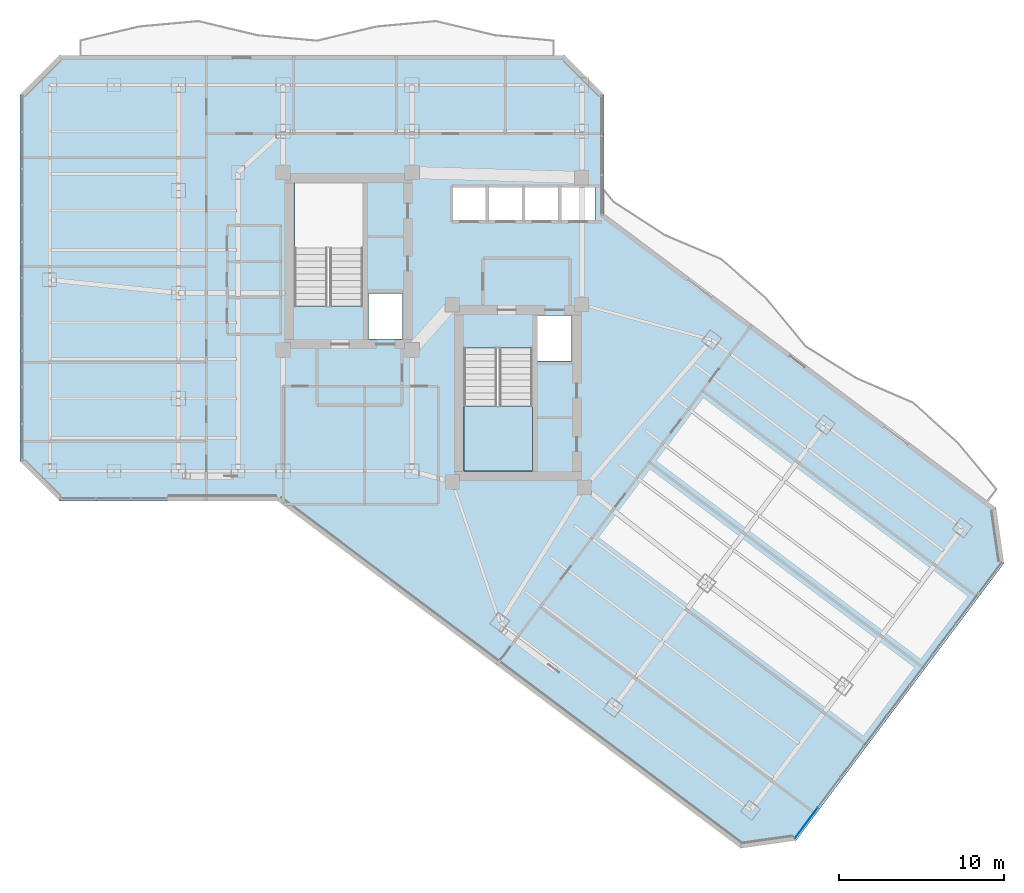
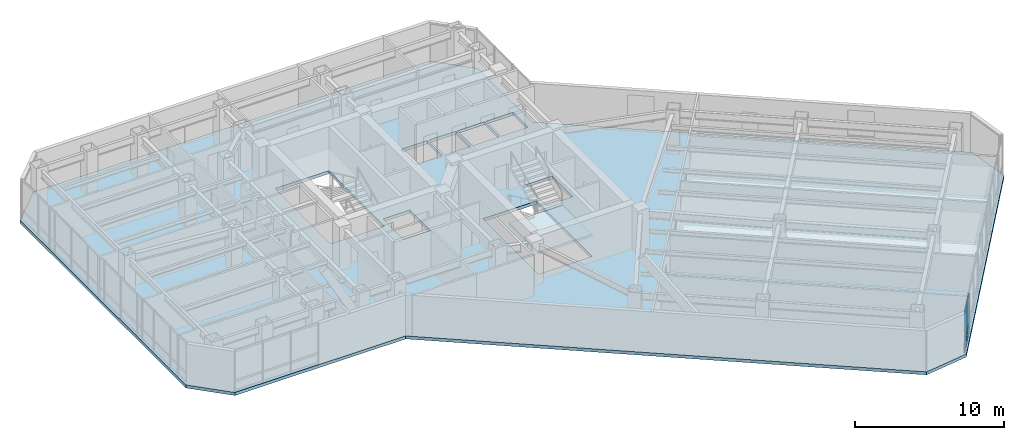
# One storey, part 21 of 31: 2 plates, 2 slabs, 2 elements without a shape of their own.
"""IFC4 building model written with IfcOpenShell, lengths in metres."""

import ifcopenshell
import ifcopenshell.guid

model = None  # the IFC model being written
_history = None  # IfcOwnerHistory: only IFC2X3 demands one
_inside = {}  # id of a spatial element -> (the spatial element, [elements in it])
_under = {}  # id of a project, library or spatial element -> (it, [spatial elements below it])
_declared = {}  # id of a project -> (the project, [libraries it declares])
_typed = {}  # id of a type object -> (the type object, [elements of that type])
_made_of = {}  # id of a material, layer set ... -> (it, [elements and type objects made of it])


def new_model(schema):
    """Start an empty IFC model of exactly this schema.

    Asked for "IFC4X3", IfcOpenShell would pick the latest addendum, in which some entities
    have other attributes; the version numbers below select the first issue.
    IFC2X3 requires an IfcOwnerHistory on every rooted entity: one is made here for all.
    """
    global model, _history
    if schema == "IFC4X3":
        model = ifcopenshell.file(schema_version=(4, 3, 0, 0))
    else:
        model = ifcopenshell.file(schema=schema)
    _inside.clear()
    _under.clear()
    _declared.clear()
    _typed.clear()
    _made_of.clear()
    _history = None
    if model.schema == "IFC2X3":
        org = make("IfcOrganization", Name="unknown")
        user = make(
            "IfcPersonAndOrganization",
            ThePerson=make("IfcPerson", FamilyName="unknown"),
            TheOrganization=org,
        )
        app = make(
            "IfcApplication",
            ApplicationDeveloper=org,
            Version="unknown",
            ApplicationFullName="unknown",
            ApplicationIdentifier="unknown",
        )
        _history = make(
            "IfcOwnerHistory",
            OwningUser=user,
            OwningApplication=app,
            ChangeAction="ADDED",
            CreationDate=0,
        )
    return model


def make(cls, **values):
    """One entity of the class cls with the attributes given. An attribute that is None is left unset."""
    return model.create_entity(
        cls, **{name: value for name, value in values.items() if value is not None}
    )


def rooted(cls, **values):
    """An entity with a GlobalId (a new one), such as an element, a storey or a relation."""
    return make(cls, GlobalId=ifcopenshell.guid.new(), OwnerHistory=_history, **values)


def si_unit(unit_type, name, prefix=None):
    """IfcSIUnit, for example si_unit("LENGTHUNIT", "METRE", prefix="MILLI")."""
    return make("IfcSIUnit", UnitType=unit_type, Prefix=prefix, Name=name)


def assignment(units):
    """IfcUnitAssignment: the units of a project."""
    return None if units is None else make("IfcUnitAssignment", Units=units)


def point(xyz):
    """IfcCartesianPoint."""
    return None if xyz is None else make("IfcCartesianPoint", Coordinates=xyz)


def direction(xyz):
    """IfcDirection."""
    return None if xyz is None else make("IfcDirection", DirectionRatios=xyz)


def frame(location, z_axis=None, x_axis=None):
    """IfcAxis2Placement3D, a coordinate frame: its origin and axes. An axis left out is left unset."""
    return make(
        "IfcAxis2Placement3D",
        Location=point(location),
        Axis=direction(z_axis),
        RefDirection=direction(x_axis),
    )


def frame_2d(location, x_axis=None):
    """IfcAxis2Placement2D, a coordinate frame in the plane: its origin and x axis."""
    return make(
        "IfcAxis2Placement2D", Location=point(location), RefDirection=direction(x_axis)
    )


def origin():
    """The frame at (0, 0, 0) with its axes left unset."""
    return frame((0.0, 0.0, 0.0))


def origin_2d():
    """The frame at (0, 0) in the plane with its x axis left unset."""
    return frame_2d((0.0, 0.0))


def place(relative_to, where):
    """IfcLocalPlacement: puts the frame where relative to a parent placement (None: the world)."""
    return make(
        "IfcLocalPlacement", PlacementRelTo=relative_to, RelativePlacement=where
    )


def context(
    kind, dimensions, precision=None, world=None, true_north=None, identifier=None
):
    """IfcGeometricRepresentationContext, for example the 3D "Model" context."""
    return make(
        "IfcGeometricRepresentationContext",
        ContextIdentifier=identifier,
        ContextType=kind,
        CoordinateSpaceDimension=dimensions,
        Precision=precision,
        WorldCoordinateSystem=world,
        TrueNorth=true_north,
    )


def subcontext(parent, identifier, kind, view, scale=None):
    """IfcGeometricRepresentationSubContext, for example "Body" below "Model"."""
    return make(
        "IfcGeometricRepresentationSubContext",
        ContextIdentifier=identifier,
        ContextType=kind,
        ParentContext=parent,
        TargetScale=scale,
        TargetView=view,
    )


def project(units=None, contexts=None):
    """IfcProject with its units and contexts."""
    return rooted(
        "IfcProject",
        Name="project",
        RepresentationContexts=contexts,
        UnitsInContext=assignment(units),
    )


def spatial(cls, under=None, at=None, **own):
    """A site, building, storey or space (cls), placed at a placement, below another one or the project."""
    s = rooted(cls, ObjectPlacement=at, **own)
    if under is not None:
        _under.setdefault(under.id(), (under, []))[1].append(s)
    return s


def polyline(points):
    """IfcPolyline through the points."""
    return make("IfcPolyline", Points=[point(p) for p in points])


def profile(cls, at=None, kind="AREA", **sizes):
    """A parametric profile (cls). Its sizes go by their IFC names, for example OverallWidth=200.0."""
    return make(cls, ProfileType=kind, Position=at, **sizes)


def rectangle(**sizes):
    """IfcRectangleProfileDef."""
    return profile("IfcRectangleProfileDef", **sizes)


def outline(outer, holes=None, kind="AREA"):
    """IfcArbitraryClosedProfileDef: a profile drawn as a closed curve; with holes, ...WithVoids."""
    if holes is None:
        return make("IfcArbitraryClosedProfileDef", ProfileType=kind, OuterCurve=outer)
    return make(
        "IfcArbitraryProfileDefWithVoids",
        ProfileType=kind,
        OuterCurve=outer,
        InnerCurves=holes,
    )


def extrude(swept, where, along, depth):
    """IfcExtrudedAreaSolid: the profile swept, set in the frame where, extruded along a direction by depth."""
    return make(
        "IfcExtrudedAreaSolid",
        SweptArea=swept,
        Position=where,
        ExtrudedDirection=direction(along),
        Depth=depth,
    )


def shape(context_of_items, identifier, shape_type, items):
    """IfcShapeRepresentation: the items that make up one representation, for example the "Body"."""
    return make(
        "IfcShapeRepresentation",
        ContextOfItems=context_of_items,
        RepresentationIdentifier=identifier,
        RepresentationType=shape_type,
        Items=items,
    )


def material(Name=None, Category=None):
    """IfcMaterial."""
    return make("IfcMaterial", Name=Name, Category=Category)


def layer(
    of_material, thickness, ventilated=None, Name=None, Category=None, Priority=None
):
    """IfcMaterialLayer: one layer of a wall or slab, of a material (None: an air gap)."""
    return make(
        "IfcMaterialLayer",
        Material=of_material,
        LayerThickness=thickness,
        IsVentilated=ventilated,
        Name=Name,
        Category=Category,
        Priority=Priority,
    )


def layer_set(layers, Name=None):
    """IfcMaterialLayerSet."""
    return make("IfcMaterialLayerSet", MaterialLayers=layers, LayerSetName=Name)


def made_of(thing, what):
    """Note that an element or type object is made of a material, layer set ...; save() writes the relation."""
    if what is not None:
        _made_of.setdefault(what.id(), (what, []))[1].append(thing)
    return thing


def type_object(cls, material=None, **own):
    """A type object (cls), such as IfcWallType, which elements share."""
    return made_of(rooted(cls, **own), material)


def element(
    cls,
    number,
    at=None,
    inside=None,
    cuts=None,
    type_object=None,
    material=None,
    context=None,
    identifier="Body",
    shape_type=None,
    held_by="IfcProductDefinitionShape",
    body=None,
    shapes=None,
    **own,
):
    """One element of the class cls, such as IfcWall. Its Tag is "e" and its number.

    at: its placement. inside: the storey or other place that contains it. cuts: it is an
    opening in that element (IfcRelVoidsElement). A single representation is given by context,
    identifier, shape_type and body (its items); several are given by shapes. held_by: the class
    of the entity that holds the representations. save() writes the other relations.
    """
    e = rooted(cls, Tag="e%d" % number, ObjectPlacement=at, **own)
    if body is not None:
        shapes = [shape(context, identifier, shape_type, body)]
    if shapes is not None:
        e.Representation = make(held_by, Representations=shapes)
    if inside is not None:
        _inside.setdefault(inside.id(), (inside, []))[1].append(e)
    if cuts is not None:
        rooted(
            "IfcRelVoidsElement", RelatingBuildingElement=cuts, RelatedOpeningElement=e
        )
    if type_object is not None:
        _typed.setdefault(type_object.id(), (type_object, []))[1].append(e)
    return made_of(e, material)


def aggregate(whole, parts):
    """IfcRelAggregates: a whole, such as a stair, and the parts it consists of."""
    return rooted("IfcRelAggregates", RelatingObject=whole, RelatedObjects=parts)


def save(model, path):
    """Write the relations noted so far, then the file.

    IfcRelAggregates (storeys below a building ...), IfcRelContainedInSpatialStructure (elements
    in a storey), IfcRelDefinesByType, IfcRelAssociatesMaterial and IfcRelDeclares: one each for
    every whole, place, type object, material and project.
    """
    for whole, parts in _under.values():
        aggregate(whole, parts)
    for where, things in _inside.values():
        rooted(
            "IfcRelContainedInSpatialStructure",
            RelatedElements=things,
            RelatingStructure=where,
        )
    for kind, things in _typed.values():
        rooted("IfcRelDefinesByType", RelatedObjects=things, RelatingType=kind)
    for what, things in _made_of.values():
        rooted("IfcRelAssociatesMaterial", RelatedObjects=things, RelatingMaterial=what)
    for by, libraries in _declared.values():
        rooted("IfcRelDeclares", RelatingContext=by, RelatedDefinitions=libraries)
    model.write(path)


model = new_model("IFC4")

# Units and contexts
model_context = context("Model", 3, precision=1e-05, world=origin(), true_north=direction((0.0, 1.0)))
body_context = subcontext(model_context, "Body", "Model", "MODEL_VIEW")
ifc_project = project(units=[si_unit("LENGTHUNIT", "METRE"), si_unit("AREAUNIT", "SQUARE_METRE"), si_unit("VOLUMEUNIT", "CUBIC_METRE"), si_unit("PLANEANGLEUNIT", "RADIAN"), si_unit("MASSUNIT", "GRAM", prefix="KILO")], contexts=[model_context])

# Site, building, storey
site_placement = place(None, origin())
site = spatial("IfcSite", under=ifc_project, at=site_placement, CompositionType="ELEMENT")
building_placement = place(site_placement, origin())
building = spatial("IfcBuilding", under=site, at=building_placement, Name="Hatsunagi Terrace Concourse", CompositionType="ELEMENT")
storey_placement = place(building_placement, frame((0.0, 0.0, 112.050048828125)))
storey = spatial("IfcBuildingStorey", under=building, at=storey_placement, Name="L29", CompositionType="ELEMENT", Elevation=112.050048828125)

# Curtain wall, plates
ifc_material_1 = material(Name="Anodised Aluminium Alloy 6063-T5", Category="aluminium")
ifc_layer_1 = layer(ifc_material_1, 0.199951171875)
ifc_layer_set_1 = layer_set([ifc_layer_1], Name="OfficeZone1_CW03")
curtain_wall_type = type_object("IfcCurtainWallType", Name="OfficeZone1_CW03", PredefinedType="NOTDEFINED", material=ifc_layer_set_1)
curtain_wall_placement = place(storey_placement, origin())
curtain_wall = element("IfcCurtainWall", 1, at=curtain_wall_placement, inside=storey, type_object=curtain_wall_type, Name="Unitised Curtain Wall CW-03 CW-L29-03", PredefinedType="NOTDEFINED")
ifc_material_2 = material(Name="Warm Terracotta Ceramic Spandrel Panel", Category="masonry")
ifc_layer_2 = layer(ifc_material_2, 0.031982421875)
ifc_layer_set_2 = layer_set([ifc_layer_2], Name="CurtainWallSpandrelPanel_32")
plate_type_1 = type_object("IfcPlateType", Name="CurtainWallSpandrelPanel_32", PredefinedType="SHEET", material=ifc_layer_set_2)
plate_1_placement = place(storey_placement, frame((57.259033203125, 3.8779296875, 0.030029296875), z_axis=(0.0, 0.0, 1.0), x_axis=(-0.599969314634, -0.800023013105, 0.0)))
plate_1 = element("IfcPlate", 2, at=plate_1_placement, type_object=plate_type_1, Name="Terracotta Spandrel Panel SPN-01", PredefinedType="SHEET", context=body_context, shape_type="SweptSolid", body=[
    extrude(rectangle(XDim=2.264892578125, YDim=0.031982421875, at=origin_2d()), origin(), (0.0, 0.0, 1.0), 0.7900390625),
])
ifc_material_3 = material(Name="Low-E Double Insulating Glass 28mm", Category="glass")
ifc_layer_3 = layer(ifc_material_3, 0.028076171875)
ifc_layer_set_3 = layer_set([ifc_layer_3], Name="CurtainWallVisionGlass_28")
plate_type_2 = type_object("IfcPlateType", Name="CurtainWallVisionGlass_28", PredefinedType="CURTAIN_PANEL", material=ifc_layer_set_3)
plate_2_placement = place(storey_placement, frame((57.259033203125, 3.8779296875, 0.8798828125), z_axis=(0.0, 0.0, 1.0), x_axis=(-0.599969314634, -0.800023013105, 0.0)))
plate_2 = element("IfcPlate", 3, at=plate_2_placement, type_object=plate_type_2, Name="Low-E Vision Glass Panel GLZ-01", PredefinedType="CURTAIN_PANEL", context=body_context, shape_type="SweptSolid", body=[
    extrude(rectangle(XDim=2.264892578125, YDim=0.028076171875, at=origin_2d()), origin(), (0.0, 0.0, 1.0), 2.43994140625),
])
aggregate(curtain_wall, [plate_1, plate_2])

# Stair, slab
ifc_material_4 = material(Name="Concrete Fc42", Category="concrete")
stair_type = type_object("IfcStairType", Name="DoglegExitStair_Tower2000_20R_180", PredefinedType="HALF_TURN_STAIR", material=ifc_material_4)
stair_placement = place(storey_placement, origin())
stair = element("IfcStair", 4, at=stair_placement, inside=storey, type_object=stair_type, Name="L29 Core B Protected Exit Stair ST-B", PredefinedType="HALF_TURN_STAIR")
ifc_material_5 = material(Name="Concrete Fc42", Category="concrete")
ifc_layer_4 = layer(ifc_material_5, 0.199951171875)
ifc_layer_set_4 = layer_set([ifc_layer_4], Name="DoglegStairLanding_Tower2000")
slab_type_1 = type_object("IfcSlabType", Name="DoglegStairLanding_Tower2000", PredefinedType="LANDING", material=ifc_layer_set_4)
slab_1_placement = place(storey_placement, frame((0.0, 0.0, 1.599853515625)))
slab_1 = element("IfcSlab", 5, at=slab_1_placement, type_object=slab_type_1, Name="ST-B landing 1", PredefinedType="LANDING", context=body_context, shape_type="SweptSolid", body=[
    extrude(outline(polyline([(36.5, 29.14990234375), (36.5, 25.199951171875), (40.64990234375, 25.199951171875), (40.64990234375, 29.14990234375), (36.5, 29.14990234375)])), origin(), (0.0, 0.0, 1.0), 0.2001953125),
])
aggregate(stair, [slab_1])

# Slab
ifc_material_6 = material(Name="Concrete Fc42", Category="concrete")
ifc_layer_5 = layer(ifc_material_6, 0.25)
ifc_layer_set_5 = layer_set([ifc_layer_5], Name="OfficeCrownSlab_Fc42_250")
slab_type_2 = type_object("IfcSlabType", Name="OfficeCrownSlab_Fc42_250", PredefinedType="FLOOR", material=ifc_layer_set_5)
slab_2_placement = place(storey_placement, frame((0.0, 0.0, -0.25)))
element("IfcSlab", 6, at=slab_2_placement, inside=storey, type_object=slab_type_2, Name="Floor Slab SL-250 L29", PredefinedType="FLOOR", context=body_context, shape_type="SweptSolid", body=[
    extrude(outline(polyline([(45.0, 40.800048828125), (45.0, 48.0), (42.60009765625, 50.39990234375), (12.0, 50.39990234375), (9.60009765625, 48.0), (9.60009765625, 25.800048828125), (12.0, 23.39990234375), (25.199951171875, 23.39990234375), (53.280029296875, 2.340087890625), (56.639892578125, 2.820068359375), (69.239990234375, 19.6201171875), (68.760009765625, 22.97998046875), (45.0, 40.800048828125)]), holes=[polyline([(26.22998046875, 35.205078125), (30.3798828125, 35.205078125), (30.3798828125, 42.659912109375), (26.22998046875, 42.659912109375), (26.22998046875, 35.205078125)]), polyline([(36.5, 25.199951171875), (40.64990234375, 25.199951171875), (40.64990234375, 32.655029296875), (36.5, 32.655029296875), (36.5, 25.199951171875)]), polyline([(30.719970703125, 33.219970703125), (32.780029296875, 33.219970703125), (32.780029296875, 35.97998046875), (30.719970703125, 35.97998046875), (30.719970703125, 33.219970703125)]), polyline([(40.97998046875, 31.8798828125), (43.02001953125, 31.8798828125), (43.02001953125, 34.639892578125), (40.97998046875, 34.639892578125), (40.97998046875, 31.8798828125)]), polyline([(35.800048828125, 40.39990234375), (37.85009765625, 40.39990234375), (37.85009765625, 42.39990234375), (35.800048828125, 42.39990234375), (35.800048828125, 40.39990234375)]), polyline([(38.0, 40.39990234375), (40.050048828125, 40.39990234375), (40.050048828125, 42.39990234375), (38.0, 42.39990234375), (38.0, 40.39990234375)]), polyline([(40.199951171875, 40.39990234375), (42.25, 40.39990234375), (42.25, 42.39990234375), (40.199951171875, 42.39990234375), (40.199951171875, 40.39990234375)]), polyline([(42.39990234375, 40.39990234375), (44.449951171875, 40.39990234375), (44.449951171875, 42.39990234375), (42.39990234375, 42.39990234375), (42.39990234375, 40.39990234375)])]), origin(), (0.0, 0.0, 1.0), 0.25),
])

save(model, "model.ifc")
